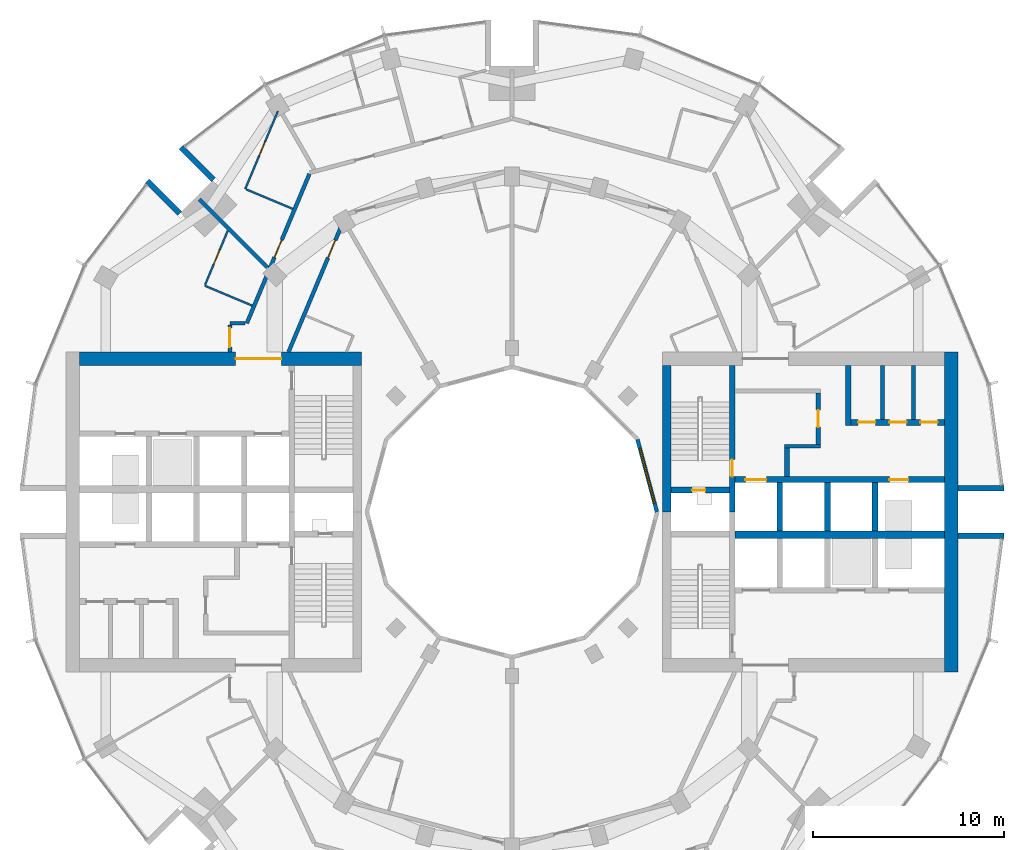
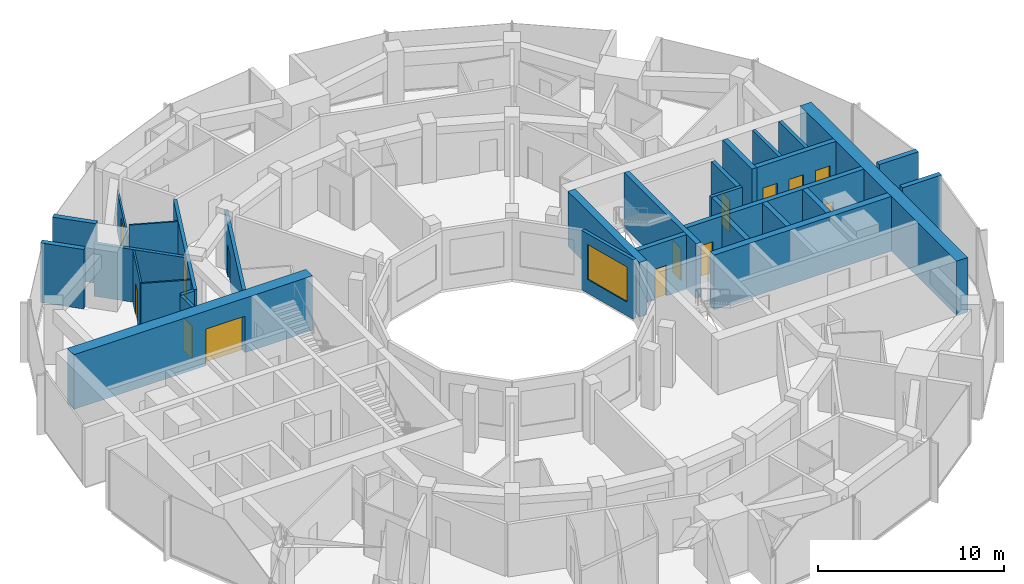
# One storey, part 11 of 15: 31 walls, 14 doors, 1 window, 15 openings.
"""IFC4 building model written with IfcOpenShell, lengths in metres."""

from ifc_helpers import new_model, si_unit, direction, frame, frame_2d, origin, place, context, subcontext, project, spatial, rectangle, extrude, material, layer, layer_set, type_object, element, fill, save


model = new_model("IFC4")

# Units and contexts
model_context = context("Model", 3, precision=1e-05, world=origin(), true_north=direction((0.0, 1.0)))
body_context = subcontext(model_context, "Body", "Model", "MODEL_VIEW")
ifc_project = project(units=[si_unit("LENGTHUNIT", "METRE"), si_unit("AREAUNIT", "SQUARE_METRE"), si_unit("VOLUMEUNIT", "CUBIC_METRE"), si_unit("PLANEANGLEUNIT", "RADIAN"), si_unit("MASSUNIT", "GRAM", prefix="KILO")], contexts=[model_context])

# Site, building, storey
site_placement = place(None, origin())
site = spatial("IfcSite", under=ifc_project, at=site_placement, CompositionType="ELEMENT")
building_placement = place(site_placement, origin())
building = spatial("IfcBuilding", under=site, at=building_placement, Name="Torre Brocal", CompositionType="ELEMENT")
storey_placement = place(building_placement, frame((0.0, 0.0, 126.300048828125)))
storey = spatial("IfcBuildingStorey", under=building, at=storey_placement, Name="L29", CompositionType="ELEMENT", Elevation=126.300048828125)

# Walls
ifc_material_1 = material(Name="Masonry block", Category="masonry")
ifc_layer_1 = layer(ifc_material_1, 0.199951171875)
ifc_layer_set_1 = layer_set([ifc_layer_1], Name="Masonry block")
wall_type_1 = type_object("IfcWallType", Name="CORE PARTITION 200", PredefinedType="PARTITIONING", material=ifc_layer_set_1)
for number, where, z_axis, x_axis, name in (
    (1, (99.433349609375, 79.85009765625, 0.0), (0.0, 0.0, 1.0), (0.0, 1.0, 0.0), "Wall CP200"),
    (2, (101.066650390625, 79.85009765625, 0.0), (0.0, 0.0, 1.0), (0.0, 1.0, 0.0), "Wall CP200"),
):
    element("IfcWall", number, at=place(storey_placement, frame(where, z_axis=z_axis, x_axis=x_axis)), inside=storey, type_object=wall_type_1, Name=name, PredefinedType="PARTITIONING", context=body_context, shape_type="SweptSolid", body=[
        extrude(rectangle(XDim=2.849853515625, YDim=0.199951171875, at=frame_2d((1.4248046875, 0.0))), origin(), (0.0, 0.0, 1.0), 3.579833984375),
    ])
ifc_material_2 = material(Name="Concrete C70", Category="concrete")
ifc_layer_2 = layer(ifc_material_2, 0.199951171875)
ifc_layer_set_2 = layer_set([ifc_layer_2], Name="Concrete C70")
wall_type_2 = type_object("IfcWallType", Name="CORE WALL 200 C70", PredefinedType="SHEAR", material=ifc_layer_set_2)
wall_1_placement = place(storey_placement, frame((94.300048828125, 78.449951171875, 0.0), z_axis=(0.0, 0.0, 1.0), x_axis=(1.0, 0.0, 0.0)))
element("IfcWall", 3, at=wall_1_placement, inside=storey, type_object=wall_type_2, Name="Wall CW200-70", PredefinedType="SHEAR", context=body_context, shape_type="SweptSolid", body=[
    extrude(rectangle(XDim=1.89990234375, YDim=0.199951171875, at=frame_2d((0.949951171875, 0.0))), origin(), (0.0, 0.0, 1.0), 3.579833984375),
])

# Wall, opening, door
ifc_material_3 = material(Name="Concrete C70", Category="concrete")
ifc_layer_3 = layer(ifc_material_3, 0.25)
ifc_layer_set_3 = layer_set([ifc_layer_3], Name="Concrete C70")
wall_type_3 = type_object("IfcWallType", Name="CORE WALL 250 C70", PredefinedType="SHEAR", material=ifc_layer_set_3)
wall_2_placement = place(storey_placement, frame((96.074951171875, 78.550048828125, 0.0), z_axis=(0.0, 0.0, 1.0), x_axis=(0.0, 1.0, 0.0)))
wall_2 = element("IfcWall", 4, at=wall_2_placement, inside=storey, type_object=wall_type_3, Name="Wall CW250-70", PredefinedType="SHEAR", context=body_context, shape_type="SweptSolid", body=[
    extrude(rectangle(XDim=2.699951171875, YDim=0.25, at=frame_2d((1.35009765625, 0.0))), origin(), (0.0, 0.0, 1.0), 3.579833984375),
])
opening_1_placement = place(wall_2_placement, frame((0.89990234375, 0.0, 0.0)))
opening_1 = element("IfcOpeningElement", 5, at=opening_1_placement, cuts=wall_2, Name="Opening E-D15", PredefinedType="OPENING", context=body_context, shape_type="SweptSolid", body=[
    extrude(rectangle(XDim=0.89990234375, YDim=2.10009765625, at=frame_2d((0.449951171875, 1.050048828125))), frame((0.0, 0.135009765625, 0.0), z_axis=(0.0, -1.0, 0.0), x_axis=(1.0, 0.0, 0.0)), (0.0, 0.0, 1.0), 0.27001953125),
])
ifc_material_4 = material(Name="Steel A653", Category="steel")
door_type_1 = type_object("IfcDoorType", Name="LOBBY DOOR FD120 900X2100", OperationType="SINGLE_SWING_RIGHT", PredefinedType="DOOR", material=ifc_material_4)
door_1_placement = place(opening_1_placement, origin())
door_1 = element("IfcDoor", 6, at=door_1_placement, inside=storey, type_object=door_type_1, Name="Door E-D15", OperationType="SINGLE_SWING_LEFT", OverallHeight=2.10009765625, OverallWidth=0.89990234375, PredefinedType="DOOR", context=body_context, shape_type="SweptSolid", body=[
    extrude(rectangle(XDim=0.89990234375, YDim=2.10009765625, at=frame_2d((0.449951171875, 1.050048828125))), frame((0.0, 0.02490234375, 0.0), z_axis=(0.0, -1.0, 0.0), x_axis=(1.0, 0.0, 0.0)), (0.0, 0.0, 1.0), 0.050048828125),
])
fill(opening_1, door_1)

# Wall
wall_3_placement = place(storey_placement, frame((94.425048828125, 76.85009765625, 0.0), z_axis=(0.0, 0.0, 1.0), x_axis=(0.0, 1.0, 0.0)))
element("IfcWall", 7, at=wall_3_placement, inside=storey, type_object=wall_type_3, Name="Wall CW250-70", PredefinedType="SHEAR", context=body_context, shape_type="SweptSolid", body=[
    extrude(rectangle(XDim=1.5, YDim=0.25, at=frame_2d((0.75, 0.0))), origin(), (0.0, 0.0, 1.0), 3.579833984375),
])

# Wall, opening, door
ifc_material_5 = material(Name="Concrete C70", Category="concrete")
ifc_layer_4 = layer(ifc_material_5, 0.300048828125)
ifc_layer_set_4 = layer_set([ifc_layer_4], Name="Concrete C70")
wall_type_4 = type_object("IfcWallType", Name="CORE WALL 300 C70", PredefinedType="SHEAR", material=ifc_layer_set_4)
wall_4_placement = place(storey_placement, frame((91.550048828125, 75.0, 0.0), z_axis=(0.0, 0.0, 1.0), x_axis=(0.0, 1.0, 0.0)))
wall_4 = element("IfcWall", 8, at=wall_4_placement, inside=storey, type_object=wall_type_4, Name="Wall CW300-70", PredefinedType="SHEAR", context=body_context, shape_type="SweptSolid", body=[
    extrude(rectangle(XDim=7.699951171875, YDim=0.300048828125, at=frame_2d((3.85009765625, 0.0))), origin(), (0.0, 0.0, 1.0), 3.579833984375),
])
opening_2_placement = place(wall_4_placement, frame((1.85009765625, 0.0, 0.0)))
opening_2 = element("IfcOpeningElement", 9, at=opening_2_placement, cuts=wall_4, Name="Opening E-D02", PredefinedType="OPENING", context=body_context, shape_type="SweptSolid", body=[
    extrude(rectangle(XDim=0.89990234375, YDim=2.10009765625, at=frame_2d((0.449951171875, 1.050048828125))), frame((0.0, 0.159912109375, 0.0), z_axis=(0.0, -1.0, 0.0), x_axis=(1.0, 0.0, 0.0)), (0.0, 0.0, 1.0), 0.320068359375),
])
ifc_material_6 = material(Name="Steel A653", Category="steel")
door_type_2 = type_object("IfcDoorType", Name="STAIR DOOR FD120 900X2100", OperationType="SINGLE_SWING_RIGHT", PredefinedType="DOOR", material=ifc_material_6)
door_2_placement = place(opening_2_placement, origin())
door_2 = element("IfcDoor", 10, at=door_2_placement, inside=storey, type_object=door_type_2, Name="Door E-D02", OperationType="SINGLE_SWING_LEFT", OverallHeight=2.10009765625, OverallWidth=0.89990234375, PredefinedType="DOOR", context=body_context, shape_type="SweptSolid", body=[
    extrude(rectangle(XDim=0.89990234375, YDim=2.10009765625, at=frame_2d((0.449951171875, 1.050048828125))), frame((0.0, 0.02490234375, 0.0), z_axis=(0.0, -1.0, 0.0), x_axis=(1.0, 0.0, 0.0)), (0.0, 0.0, 1.0), 0.050048828125),
])
fill(opening_2, door_2)

wall_5_placement = place(storey_placement, frame((88.35009765625, 76.14990234375, 0.0), z_axis=(0.0, 0.0, 1.0), x_axis=(1.0, 0.0, 0.0)))
wall_5 = element("IfcWall", 11, at=wall_5_placement, inside=storey, type_object=wall_type_4, Name="Wall CW300-70", PredefinedType="SHEAR", context=body_context, shape_type="SweptSolid", body=[
    extrude(rectangle(XDim=3.0498046875, YDim=0.300048828125, at=frame_2d((1.52490234375, 0.0))), origin(), (0.0, 0.0, 1.0), 3.579833984375),
])
opening_3_placement = place(wall_5_placement, frame((1.10009765625, 0.0, 0.0)))
opening_3 = element("IfcOpeningElement", 12, at=opening_3_placement, cuts=wall_5, Name="Opening E-D01", PredefinedType="OPENING", context=body_context, shape_type="SweptSolid", body=[
    extrude(rectangle(XDim=0.699951171875, YDim=2.0, at=frame_2d((0.35009765625, 1.0))), frame((0.0, 0.159912109375, 0.0), z_axis=(0.0, -1.0, 0.0), x_axis=(1.0, 0.0, 0.0)), (0.0, 0.0, 1.0), 0.320068359375),
])
ifc_material_7 = material(Name="Steel A653", Category="steel")
door_type_3 = type_object("IfcDoorType", Name="RISER DOOR FD120 700X2000", OperationType="SINGLE_SWING_LEFT", PredefinedType="DOOR", material=ifc_material_7)
door_3_placement = place(opening_3_placement, frame((0.699951171875, 0.0, 0.0), z_axis=(0.0, 0.0, 1.0), x_axis=(-1.0, 0.0, 0.0)))
door_3 = element("IfcDoor", 13, at=door_3_placement, inside=storey, type_object=door_type_3, Name="Door E-D01", OperationType="SINGLE_SWING_RIGHT", OverallHeight=2.0, OverallWidth=0.699951171875, PredefinedType="DOOR", context=body_context, shape_type="SweptSolid", body=[
    extrude(rectangle(XDim=0.699951171875, YDim=2.0, at=frame_2d((0.35009765625, 1.0))), frame((0.0, 0.02490234375, 0.0), z_axis=(0.0, -1.0, 0.0), x_axis=(1.0, 0.0, 0.0)), (0.0, 0.0, 1.0), 0.050048828125),
])
fill(opening_3, door_3)

# Wall, openings, doors
wall_6_placement = place(storey_placement, frame((91.699951171875, 76.699951171875, 0.0), z_axis=(0.0, 0.0, 1.0), x_axis=(1.0, 0.0, 0.0)))
wall_6 = element("IfcWall", 14, at=wall_6_placement, inside=storey, type_object=wall_type_4, Name="Wall CW300-70", PredefinedType="SHEAR", context=body_context, shape_type="SweptSolid", body=[
    extrude(rectangle(XDim=11.0, YDim=0.300048828125, at=frame_2d((5.5, 0.0))), origin(), (0.0, 0.0, 1.0), 3.579833984375),
])
opening_4_placement = place(wall_6_placement, frame((0.550048828125, 0.0, 0.0)))
opening_4 = element("IfcOpeningElement", 15, at=opening_4_placement, cuts=wall_6, Name="Opening LD", PredefinedType="OPENING", context=body_context, shape_type="SweptSolid", body=[
    extrude(rectangle(XDim=1.10009765625, YDim=2.10009765625, at=frame_2d((0.550048828125, 1.050048828125))), frame((0.0, 0.159912109375, 0.0), z_axis=(0.0, -1.0, 0.0), x_axis=(1.0, 0.0, 0.0)), (0.0, 0.0, 1.0), 0.320068359375),
])
opening_5_placement = place(wall_6_placement, frame((8.10009765625, 0.0, 0.0)))
opening_5 = element("IfcOpeningElement", 16, at=opening_5_placement, cuts=wall_6, Name="Opening LD10", PredefinedType="OPENING", context=body_context, shape_type="SweptSolid", body=[
    extrude(rectangle(XDim=1.0, YDim=2.10009765625, at=frame_2d((0.5, 1.050048828125))), frame((0.0, 0.159912109375, 0.0), z_axis=(0.0, -1.0, 0.0), x_axis=(1.0, 0.0, 0.0)), (0.0, 0.0, 1.0), 0.320068359375),
])
ifc_material_8 = material(Name="Stainless steel AISI 316", Category="steel")
door_type_4 = type_object("IfcDoorType", Name="LIFT LANDING DOOR 1000X2100", OperationType="DOUBLE_DOOR_SLIDING", PredefinedType="DOOR", material=ifc_material_8)
door_4_placement = place(opening_5_placement, origin())
door_4 = element("IfcDoor", 17, at=door_4_placement, inside=storey, type_object=door_type_4, Name="Door LD10", OperationType="DOUBLE_DOOR_SLIDING", OverallHeight=2.10009765625, OverallWidth=1.0, PredefinedType="DOOR", context=body_context, shape_type="SweptSolid", body=[
    extrude(rectangle(XDim=1.0, YDim=2.10009765625, at=frame_2d((0.5, 1.050048828125))), frame((0.0, 0.02490234375, 0.0), z_axis=(0.0, -1.0, 0.0), x_axis=(1.0, 0.0, 0.0)), (0.0, 0.0, 1.0), 0.050048828125),
])
fill(opening_5, door_4)
ifc_material_9 = material(Name="Stainless steel AISI 316", Category="steel")
door_type_5 = type_object("IfcDoorType", Name="LIFT LANDING DOOR 1100X2100", OperationType="DOUBLE_DOOR_SLIDING", PredefinedType="DOOR", material=ifc_material_9)
door_5_placement = place(opening_4_placement, origin())
door_5 = element("IfcDoor", 18, at=door_5_placement, inside=storey, type_object=door_type_5, Name="Door LD", OperationType="DOUBLE_DOOR_SLIDING", OverallHeight=2.10009765625, OverallWidth=1.10009765625, PredefinedType="DOOR", context=body_context, shape_type="SweptSolid", body=[
    extrude(rectangle(XDim=1.10009765625, YDim=2.10009765625, at=frame_2d((0.550048828125, 1.050048828125))), frame((0.0, 0.02490234375, 0.0), z_axis=(0.0, -1.0, 0.0), x_axis=(1.0, 0.0, 0.0)), (0.0, 0.0, 1.0), 0.050048828125),
])
fill(opening_4, door_5)

# Walls
for number, where, z_axis, x_axis, name in (
    (19, (94.050048828125, 74.0, 0.0), (0.0, 0.0, 1.0), (0.0, 1.0, 0.0), "Wall CW300-70"),
    (20, (96.550048828125, 74.0, 0.0), (0.0, 0.0, 1.0), (0.0, 1.0, 0.0), "Wall CW300-70"),
    (21, (99.050048828125, 74.0, 0.0), (0.0, 0.0, 1.0), (0.0, 1.0, 0.0), "Wall CW300-70"),
):
    element("IfcWall", number, at=place(storey_placement, frame(where, z_axis=z_axis, x_axis=x_axis)), inside=storey, type_object=wall_type_4, Name=name, PredefinedType="SHEAR", context=body_context, shape_type="SweptSolid", body=[
        extrude(rectangle(XDim=2.550048828125, YDim=0.300048828125, at=frame_2d((1.27490234375, 0.0))), origin(), (0.0, 0.0, 1.0), 3.579833984375),
    ])
wall_7_placement = place(storey_placement, frame((97.64990234375, 79.550048828125, 0.0), z_axis=(0.0, 0.0, 1.0), x_axis=(0.0, 1.0, 0.0)))
element("IfcWall", 22, at=wall_7_placement, inside=storey, type_object=wall_type_4, Name="Wall CW300-70", PredefinedType="SHEAR", context=body_context, shape_type="SweptSolid", body=[
    extrude(rectangle(XDim=3.14990234375, YDim=0.300048828125, at=frame_2d((1.574951171875, 0.0))), origin(), (0.0, 0.0, 1.0), 3.579833984375),
])

# Wall, openings, doors
wall_8_placement = place(storey_placement, frame((97.800048828125, 79.699951171875, 0.0), z_axis=(0.0, 0.0, 1.0), x_axis=(1.0, 0.0, 0.0)))
wall_8 = element("IfcWall", 23, at=wall_8_placement, inside=storey, type_object=wall_type_4, Name="Wall CW300-70", PredefinedType="SHEAR", context=body_context, shape_type="SweptSolid", body=[
    extrude(rectangle(XDim=4.89990234375, YDim=0.300048828125, at=frame_2d((2.449951171875, 0.0))), origin(), (0.0, 0.0, 1.0), 3.579833984375),
])
opening_6_placement = place(wall_8_placement, frame((0.36669921875, 0.0, 0.0)))
opening_6 = element("IfcOpeningElement", 24, at=opening_6_placement, cuts=wall_8, Name="Opening E-D05", PredefinedType="OPENING", context=body_context, shape_type="SweptSolid", body=[
    extrude(rectangle(XDim=0.89990234375, YDim=2.10009765625, at=frame_2d((0.449951171875, 1.050048828125))), frame((0.0, 0.159912109375, 0.0), z_axis=(0.0, -1.0, 0.0), x_axis=(1.0, 0.0, 0.0)), (0.0, 0.0, 1.0), 0.320068359375),
])
opening_7_placement = place(wall_8_placement, frame((2.0, 0.0, 0.0)))
opening_7 = element("IfcOpeningElement", 25, at=opening_7_placement, cuts=wall_8, Name="Opening E-D06", PredefinedType="OPENING", context=body_context, shape_type="SweptSolid", body=[
    extrude(rectangle(XDim=0.89990234375, YDim=2.10009765625, at=frame_2d((0.449951171875, 1.050048828125))), frame((0.0, 0.159912109375, 0.0), z_axis=(0.0, -1.0, 0.0), x_axis=(1.0, 0.0, 0.0)), (0.0, 0.0, 1.0), 0.320068359375),
])
opening_8_placement = place(wall_8_placement, frame((3.63330078125, 0.0, 0.0)))
opening_8 = element("IfcOpeningElement", 26, at=opening_8_placement, cuts=wall_8, Name="Opening E-D07", PredefinedType="OPENING", context=body_context, shape_type="SweptSolid", body=[
    extrude(rectangle(XDim=0.89990234375, YDim=2.10009765625, at=frame_2d((0.449951171875, 1.050048828125))), frame((0.0, 0.159912109375, 0.0), z_axis=(0.0, -1.0, 0.0), x_axis=(1.0, 0.0, 0.0)), (0.0, 0.0, 1.0), 0.320068359375),
])
ifc_material_10 = material(Name="Steel A653", Category="steel")
door_type_6 = type_object("IfcDoorType", Name="ROOM DOOR FD30S 900X2100", OperationType="SINGLE_SWING_LEFT", PredefinedType="DOOR", material=ifc_material_10)
door_6_placement = place(opening_6_placement, origin())
door_6 = element("IfcDoor", 27, at=door_6_placement, inside=storey, type_object=door_type_6, Name="Door E-D05", OperationType="SINGLE_SWING_RIGHT", OverallHeight=2.10009765625, OverallWidth=0.89990234375, PredefinedType="DOOR", context=body_context, shape_type="SweptSolid", body=[
    extrude(rectangle(XDim=0.89990234375, YDim=2.10009765625, at=frame_2d((0.449951171875, 1.050048828125))), frame((0.0, 0.02490234375, 0.0), z_axis=(0.0, -1.0, 0.0), x_axis=(1.0, 0.0, 0.0)), (0.0, 0.0, 1.0), 0.050048828125),
])
fill(opening_6, door_6)
door_7_placement = place(opening_7_placement, origin())
door_7 = element("IfcDoor", 28, at=door_7_placement, inside=storey, type_object=door_type_6, Name="Door E-D06", OperationType="SINGLE_SWING_LEFT", OverallHeight=2.10009765625, OverallWidth=0.89990234375, PredefinedType="DOOR", context=body_context, shape_type="SweptSolid", body=[
    extrude(rectangle(XDim=0.89990234375, YDim=2.10009765625, at=frame_2d((0.449951171875, 1.050048828125))), frame((0.0, 0.02490234375, 0.0), z_axis=(0.0, -1.0, 0.0), x_axis=(1.0, 0.0, 0.0)), (0.0, 0.0, 1.0), 0.050048828125),
])
fill(opening_7, door_7)
door_8_placement = place(opening_8_placement, origin())
door_8 = element("IfcDoor", 29, at=door_8_placement, inside=storey, type_object=door_type_6, Name="Door E-D07", OperationType="SINGLE_SWING_LEFT", OverallHeight=2.10009765625, OverallWidth=0.89990234375, PredefinedType="DOOR", context=body_context, shape_type="SweptSolid", body=[
    extrude(rectangle(XDim=0.89990234375, YDim=2.10009765625, at=frame_2d((0.449951171875, 1.050048828125))), frame((0.0, 0.02490234375, 0.0), z_axis=(0.0, -1.0, 0.0), x_axis=(1.0, 0.0, 0.0)), (0.0, 0.0, 1.0), 0.050048828125),
])
fill(opening_8, door_8)

# Walls
ifc_material_11 = material(Name="Concrete C70", Category="concrete")
ifc_layer_5 = layer(ifc_material_11, 0.39990234375)
ifc_layer_set_5 = layer_set([ifc_layer_5], Name="Concrete C70")
wall_type_5 = type_object("IfcWallType", Name="CORE WALL 400 C70", PredefinedType="SHEAR", material=ifc_layer_set_5)
wall_9_placement = place(storey_placement, frame((91.699951171875, 73.800048828125, 0.0), z_axis=(0.0, 0.0, 1.0), x_axis=(1.0, 0.0, 0.0)))
element("IfcWall", 30, at=wall_9_placement, inside=storey, type_object=wall_type_5, Name="Wall CW400-70", PredefinedType="SHEAR", context=body_context, shape_type="SweptSolid", body=[
    extrude(rectangle(XDim=11.0, YDim=0.39990234375, at=frame_2d((5.5, 0.0))), origin(), (0.0, 0.0, 1.0), 3.579833984375),
])
ifc_material_12 = material(Name="Concrete C70", Category="concrete")
ifc_layer_6 = layer(ifc_material_12, 0.449951171875)
ifc_layer_set_6 = layer_set([ifc_layer_6], Name="Concrete C70")
wall_type_6 = type_object("IfcWallType", Name="CORE WALL 450 C70", PredefinedType="SHEAR", material=ifc_layer_set_6)
wall_10_placement = place(storey_placement, frame((88.125, 75.0, 0.0), z_axis=(0.0, 0.0, 1.0), x_axis=(0.0, 1.0, 0.0)))
element("IfcWall", 31, at=wall_10_placement, inside=storey, type_object=wall_type_6, Name="Wall CW450-70", PredefinedType="SHEAR", context=body_context, shape_type="SweptSolid", body=[
    extrude(rectangle(XDim=7.699951171875, YDim=0.449951171875, at=frame_2d((3.85009765625, 0.0))), origin(), (0.0, 0.0, 1.0), 3.579833984375),
])
ifc_material_13 = material(Name="Concrete C70", Category="concrete")
ifc_layer_7 = layer(ifc_material_13, 0.699951171875)
ifc_layer_set_7 = layer_set([ifc_layer_7], Name="Concrete C70")
wall_type_7 = type_object("IfcWallType", Name="CORE WALL 700 C70", PredefinedType="SHEAR", material=ifc_layer_set_7)
wall_11_placement = place(storey_placement, frame((103.050048828125, 66.60009765625, 0.0), z_axis=(0.0, 0.0, 1.0), x_axis=(0.0, 1.0, 0.0)))
element("IfcWall", 32, at=wall_11_placement, inside=storey, type_object=wall_type_7, Name="Wall CW700-70", PredefinedType="SHEAR", context=body_context, shape_type="SweptSolid", body=[
    extrude(rectangle(XDim=16.7998046875, YDim=0.699951171875, at=frame_2d((8.39990234375, 0.0))), origin(), (0.0, 0.0, 1.0), 3.579833984375),
])

# Wall, opening, door
wall_12_placement = place(storey_placement, frame((72.10009765625, 83.050048828125, 0.0), z_axis=(0.0, 0.0, 1.0), x_axis=(-1.0, 0.0, 0.0)))
wall_12 = element("IfcWall", 33, at=wall_12_placement, inside=storey, type_object=wall_type_7, Name="Wall CW700-70", PredefinedType="SHEAR", context=body_context, shape_type="SweptSolid", body=[
    extrude(rectangle(XDim=14.800048828125, YDim=0.699951171875, at=frame_2d((7.39990234375, 0.0))), origin(), (0.0, 0.0, 1.0), 3.579833984375),
])
opening_9_placement = place(wall_12_placement, frame((4.199951171875, 0.0, 0.0)))
opening_9 = element("IfcOpeningElement", 34, at=opening_9_placement, cuts=wall_12, Name="Opening W-D30", PredefinedType="OPENING", context=body_context, shape_type="SweptSolid", body=[
    extrude(rectangle(XDim=2.39990234375, YDim=2.39990234375, at=frame_2d((1.199951171875, 1.199951171875))), frame((0.0, 0.35986328125, 0.0), z_axis=(0.0, -1.0, 0.0), x_axis=(1.0, 0.0, 0.0)), (0.0, 0.0, 1.0), 0.719970703125),
])
ifc_material_14 = material(Name="Steel A653", Category="steel")
door_type_7 = type_object("IfcDoorType", Name="DOUBLE FIRE DOOR FD90 2400X2400", OperationType="DOUBLE_DOOR_SINGLE_SWING", PredefinedType="DOOR", material=ifc_material_14)
door_9_placement = place(opening_9_placement, origin())
door_9 = element("IfcDoor", 35, at=door_9_placement, inside=storey, type_object=door_type_7, Name="Door W-D30", OperationType="DOUBLE_DOOR_SINGLE_SWING", OverallHeight=2.39990234375, OverallWidth=2.39990234375, PredefinedType="DOOR", context=body_context, shape_type="SweptSolid", body=[
    extrude(rectangle(XDim=2.39990234375, YDim=2.39990234375, at=frame_2d((1.199951171875, 1.199951171875))), frame((0.0, 0.02490234375, 0.0), z_axis=(0.0, -1.0, 0.0), x_axis=(1.0, 0.0, 0.0)), (0.0, 0.0, 1.0), 0.050048828125),
])
fill(opening_9, door_9)

# Walls
ifc_material_15 = material(Name="Concrete C70", Category="concrete")
ifc_layer_8 = layer(ifc_material_15, 0.300048828125)
ifc_layer_set_8 = layer_set([ifc_layer_8], Name="Concrete C70")
wall_type_8 = type_object("IfcWallType", Name="NOTCH RETURN WALL 300 C70", PredefinedType="NOTDEFINED", material=ifc_layer_set_8)
for number, where, z_axis, x_axis, name in (
    (36, (103.39990234375, 73.75, 0.0), (0.0, 0.0, 1.0), (1.0, 0.0, 0.0), "NOTCH RETURN WALL"),
    (37, (103.39990234375, 76.25, 0.0), (0.0, 0.0, 1.0), (1.0, 0.0, 0.0), "NOTCH RETURN WALL"),
    (38, (64.337646484375, 92.43017578125, 0.0), (0.0, 0.0, 1.0), (-0.707106781187, 0.707106781187, 0.0), "NOTCH RETURN WALL"),
    (39, (62.56982421875, 90.662353515625, 0.0), (0.0, 0.0, 1.0), (-0.707106781187, 0.707106781187, 0.0), "NOTCH RETURN WALL"),
):
    element("IfcWall", number, at=place(storey_placement, frame(where, z_axis=z_axis, x_axis=x_axis)), inside=storey, type_object=wall_type_8, Name=name, PredefinedType="NOTDEFINED", context=body_context, shape_type="SweptSolid", body=[
        extrude(rectangle(XDim=2.415771484375, YDim=0.300048828125, at=frame_2d((1.2080078125, 0.0))), origin(), (0.0, 0.0, 1.0), 3.89990234375),
    ])

# Wall, opening, door
ifc_material_16 = material(Name="Gypsum board", Category="Gypsum")
ifc_layer_9 = layer(ifc_material_16, 0.10009765625)
ifc_layer_set_9 = layer_set([ifc_layer_9], Name="Gypsum board")
wall_type_9 = type_object("IfcWallType", Name="PARTITION 100", PredefinedType="PARTITIONING", material=ifc_layer_set_9)
wall_13_placement = place(storey_placement, frame((63.8955078125, 86.92041015625, 0.0), z_axis=(0.0, 0.0, 1.0), x_axis=(0.386637413037, 0.922231809709, 0.0)))
wall_13 = element("IfcWall", 40, at=wall_13_placement, inside=storey, type_object=wall_type_9, Name="BATHROOM WALL", PredefinedType="PARTITIONING", context=body_context, shape_type="SweptSolid", body=[
    extrude(rectangle(XDim=3.076416015625, YDim=0.10009765625, at=frame_2d((1.5380859375, 0.0))), origin(), (0.0, 0.0, 1.0), 3.449951171875),
])
opening_10_placement = place(wall_13_placement, frame((1.173095703125, 0.0, 0.0)))
opening_10 = element("IfcOpeningElement", 41, at=opening_10_placement, cuts=wall_13, Name="Opening E02-D16", PredefinedType="OPENING", context=body_context, shape_type="SweptSolid", body=[
    extrude(rectangle(XDim=0.800048828125, YDim=2.10009765625, at=frame_2d((0.39990234375, 1.050048828125))), frame((0.0, 0.06005859375, 0.0), z_axis=(0.0, -1.0, 0.0), x_axis=(1.0, 0.0, 0.0)), (0.0, 0.0, 1.0), 0.1201171875),
])
ifc_material_17 = material(Name="Timber", Category="wood")
door_type_8 = type_object("IfcDoorType", Name="BATHROOM DOOR 800X2100", OperationType="SINGLE_SWING_LEFT", PredefinedType="DOOR", material=ifc_material_17)
door_10_placement = place(opening_10_placement, frame((0.800048828125, 0.0, 0.0), z_axis=(0.0, 0.0, 1.0), x_axis=(-1.0, 0.0, 0.0)))
door_10 = element("IfcDoor", 42, at=door_10_placement, inside=storey, type_object=door_type_8, Name="E02-D16", OperationType="SINGLE_SWING_LEFT", OverallHeight=2.10009765625, OverallWidth=0.800048828125, PredefinedType="DOOR", context=body_context, shape_type="SweptSolid", body=[
    extrude(rectangle(XDim=0.800048828125, YDim=2.10009765625, at=frame_2d((0.39990234375, 1.050048828125))), frame((0.0, 0.02490234375, 0.0), z_axis=(0.0, -1.0, 0.0), x_axis=(1.0, 0.0, 0.0)), (0.0, 0.0, 1.0), 0.050048828125),
])
fill(opening_10, door_10)

# Walls
wall_14_placement = place(storey_placement, frame((63.876953125, 86.8740234375, 0.0), z_axis=(0.0, 0.0, 1.0), x_axis=(0.92214860299, -0.386835823062, 0.0)))
element("IfcWall", 43, at=wall_14_placement, inside=storey, type_object=wall_type_9, Name="BATHROOM WALL", PredefinedType="PARTITIONING", context=body_context, shape_type="SweptSolid", body=[
    extrude(rectangle(XDim=2.699951171875, YDim=0.10009765625, at=frame_2d((1.35009765625, 0.0))), origin(), (0.0, 0.0, 1.0), 3.449951171875),
])
wall_15_placement = place(storey_placement, frame((66.049072265625, 91.9306640625, 0.0), z_axis=(0.0, 0.0, 1.0), x_axis=(0.922344808264, -0.38636777126, 0.0)))
element("IfcWall", 44, at=wall_15_placement, inside=storey, type_object=wall_type_9, Name="BATHROOM WALL", PredefinedType="PARTITIONING", context=body_context, shape_type="SweptSolid", body=[
    extrude(rectangle(XDim=2.650146484375, YDim=0.10009765625, at=frame_2d((1.3251953125, 0.0))), origin(), (0.0, 0.0, 1.0), 3.449951171875),
])

# Wall, opening, door
ifc_material_18 = material(Name="Gypsum board", Category="Gypsum")
ifc_layer_10 = layer(ifc_material_18, 0.10009765625)
ifc_layer_set_10 = layer_set([ifc_layer_10], Name="Gypsum board")
wall_type_10 = type_object("IfcWallType", Name="PARTITION 100 UNDER BEAM 1220", PredefinedType="PARTITIONING", material=ifc_layer_set_10)
wall_16_placement = place(storey_placement, frame((66.003662109375, 91.94970703125, 0.0), z_axis=(0.0, 0.0, 1.0), x_axis=(0.386601257709, 0.922246966673, 0.0)))
wall_16 = element("IfcWall", 45, at=wall_16_placement, inside=storey, type_object=wall_type_10, Name="BATHROOM WALL", PredefinedType="PARTITIONING", context=body_context, shape_type="SweptSolid", body=[
    extrude(rectangle(XDim=4.4326171875, YDim=0.10009765625, at=frame_2d((2.21630859375, 0.0))), origin(), (0.0, 0.0, 1.0), 2.679931640625),
])
opening_11_placement = place(wall_16_placement, frame((1.891357421875, 0.0, 0.0)))
opening_11 = element("IfcOpeningElement", 46, at=opening_11_placement, cuts=wall_16, Name="Opening E02-D14", PredefinedType="OPENING", context=body_context, shape_type="SweptSolid", body=[
    extrude(rectangle(XDim=0.800048828125, YDim=2.10009765625, at=frame_2d((0.39990234375, 1.050048828125))), frame((0.0, 0.06005859375, 0.0), z_axis=(0.0, -1.0, 0.0), x_axis=(1.0, 0.0, 0.0)), (0.0, 0.0, 1.0), 0.1201171875),
])
door_11_placement = place(opening_11_placement, frame((0.800048828125, 0.0, 0.0), z_axis=(0.0, 0.0, 1.0), x_axis=(-1.0, 0.0, 0.0)))
door_11 = element("IfcDoor", 47, at=door_11_placement, inside=storey, type_object=door_type_8, Name="E02-D14", OperationType="SINGLE_SWING_LEFT", OverallHeight=2.10009765625, OverallWidth=0.800048828125, PredefinedType="DOOR", context=body_context, shape_type="SweptSolid", body=[
    extrude(rectangle(XDim=0.800048828125, YDim=2.10009765625, at=frame_2d((0.39990234375, 1.050048828125))), frame((0.0, 0.02490234375, 0.0), z_axis=(0.0, -1.0, 0.0), x_axis=(1.0, 0.0, 0.0)), (0.0, 0.0, 1.0), 0.050048828125),
])
fill(opening_11, door_11)

# Wall
ifc_material_19 = material(Name="Gypsum board", Category="Gypsum")
ifc_layer_11 = layer(ifc_material_19, 0.199951171875)
ifc_layer_set_11 = layer_set([ifc_layer_11], Name="Gypsum board")
wall_type_11 = type_object("IfcWallType", Name="PARTITION 200 EI60", PredefinedType="PARTITIONING", material=ifc_layer_set_11)
wall_17_placement = place(storey_placement, frame((63.599609375, 91.4091796875, 0.0), z_axis=(0.0, 0.0, 1.0), x_axis=(0.706937509868, -0.707276011993, 0.0)))
element("IfcWall", 48, at=wall_17_placement, inside=storey, type_object=wall_type_11, Name="BATHROOM WALL", PredefinedType="PARTITIONING", context=body_context, shape_type="SweptSolid", body=[
    extrude(rectangle(XDim=5.048583984375, YDim=0.199951171875, at=frame_2d((2.5244140625, 0.0))), origin(), (0.0, 0.0, 1.0), 3.449951171875),
])

# Wall, opening, door
wall_18_placement = place(storey_placement, frame((65.199951171875, 83.40087890625, 0.0), z_axis=(0.0, 0.0, 1.0), x_axis=(0.0, 1.0, 0.0)))
wall_18 = element("IfcWall", 49, at=wall_18_placement, inside=storey, type_object=wall_type_11, Name="GUESTROOM CORRIDOR WALL", PredefinedType="PARTITIONING", context=body_context, shape_type="SweptSolid", body=[
    extrude(rectangle(XDim=1.399169921875, YDim=0.199951171875, at=frame_2d((0.69970703125, 0.0))), origin(), (0.0, 0.0, 1.0), 3.449951171875),
])
opening_12_placement = place(wall_18_placement, frame((0.2490234375, 0.0, 0.0)))
opening_12 = element("IfcOpeningElement", 50, at=opening_12_placement, cuts=wall_18, Name="Opening E02-D15", PredefinedType="OPENING", context=body_context, shape_type="SweptSolid", body=[
    extrude(rectangle(XDim=1.0, YDim=2.10009765625, at=frame_2d((0.5, 1.050048828125))), frame((0.0, 0.10986328125, 0.0), z_axis=(0.0, -1.0, 0.0), x_axis=(1.0, 0.0, 0.0)), (0.0, 0.0, 1.0), 0.219970703125),
])
ifc_material_20 = material(Name="Timber", Category="wood")
door_type_9 = type_object("IfcDoorType", Name="FLAT ENTRY DOOR FD30S 1000X2100", OperationType="SINGLE_SWING_RIGHT", PredefinedType="DOOR", material=ifc_material_20)
door_12_placement = place(opening_12_placement, origin())
door_12 = element("IfcDoor", 51, at=door_12_placement, inside=storey, type_object=door_type_9, Name="E02-D15", OperationType="SINGLE_SWING_LEFT", OverallHeight=2.10009765625, OverallWidth=1.0, PredefinedType="DOOR", context=body_context, shape_type="SweptSolid", body=[
    extrude(rectangle(XDim=1.0, YDim=2.10009765625, at=frame_2d((0.5, 1.050048828125))), frame((0.0, 0.02490234375, 0.0), z_axis=(0.0, -1.0, 0.0), x_axis=(1.0, 0.0, 0.0)), (0.0, 0.0, 1.0), 0.050048828125),
])
fill(opening_12, door_12)

# Wall
wall_19_placement = place(storey_placement, frame((65.199951171875, 84.89990234375, 0.0), z_axis=(0.0, 0.0, 1.0), x_axis=(1.0, 0.0, 0.0)))
element("IfcWall", 52, at=wall_19_placement, inside=storey, type_object=wall_type_11, Name="GUESTROOM CORRIDOR WALL", PredefinedType="PARTITIONING", context=body_context, shape_type="SweptSolid", body=[
    extrude(rectangle(XDim=0.795166015625, YDim=0.199951171875, at=frame_2d((0.3974609375, 0.0))), origin(), (0.0, 0.0, 1.0), 3.449951171875),
])

# Wall, opening, door
wall_20_placement = place(storey_placement, frame((66.085205078125, 84.900390625, 0.0), z_axis=(0.0, 0.0, 1.0), x_axis=(0.386617151403, 0.922240303956, 0.0)))
wall_20 = element("IfcWall", 53, at=wall_20_placement, inside=storey, type_object=wall_type_11, Name="GUESTROOM CORRIDOR WALL", PredefinedType="PARTITIONING", context=body_context, shape_type="SweptSolid", body=[
    extrude(rectangle(XDim=8.500244140625, YDim=0.199951171875, at=frame_2d((4.25, 0.0))), origin(), (0.0, 0.0, 1.0), 3.449951171875),
])
opening_13_placement = place(wall_20_placement, frame((3.74755859375, 0.0, 0.0)))
opening_13 = element("IfcOpeningElement", 54, at=opening_13_placement, cuts=wall_20, Name="Opening E02-D13", PredefinedType="OPENING", context=body_context, shape_type="SweptSolid", body=[
    extrude(rectangle(XDim=1.0, YDim=2.10009765625, at=frame_2d((0.5, 1.050048828125))), frame((0.0, 0.10986328125, 0.0), z_axis=(0.0, -1.0, 0.0), x_axis=(1.0, 0.0, 0.0)), (0.0, 0.0, 1.0), 0.219970703125),
])
door_13_placement = place(opening_13_placement, origin())
door_13 = element("IfcDoor", 55, at=door_13_placement, inside=storey, type_object=door_type_9, Name="E02-D13", OperationType="SINGLE_SWING_LEFT", OverallHeight=2.10009765625, OverallWidth=1.0, PredefinedType="DOOR", context=body_context, shape_type="SweptSolid", body=[
    extrude(rectangle(XDim=1.0, YDim=2.10009765625, at=frame_2d((0.5, 1.050048828125))), frame((0.0, 0.02490234375, 0.0), z_axis=(0.0, -1.0, 0.0), x_axis=(1.0, 0.0, 0.0)), (0.0, 0.0, 1.0), 0.050048828125),
])
fill(opening_13, door_13)

wall_21_placement = place(storey_placement, frame((68.276611328125, 83.400146484375, 0.0), z_axis=(0.0, 0.0, 1.0), x_axis=(0.386454861164, 0.922308321703, 0.0)))
wall_21 = element("IfcWall", 56, at=wall_21_placement, inside=storey, type_object=wall_type_11, Name="GUESTROOM CORRIDOR WALL", PredefinedType="PARTITIONING", context=body_context, shape_type="SweptSolid", body=[
    extrude(rectangle(XDim=7.76220703125, YDim=0.199951171875, at=frame_2d((3.881103515625, 0.0))), origin(), (0.0, 0.0, 1.0), 3.449951171875),
])
opening_14_placement = place(wall_21_placement, frame((5.3505859375, 0.0, 0.0)))
opening_14 = element("IfcOpeningElement", 57, at=opening_14_placement, cuts=wall_21, Name="Opening E02-D23", PredefinedType="OPENING", context=body_context, shape_type="SweptSolid", body=[
    extrude(rectangle(XDim=1.0, YDim=2.10009765625, at=frame_2d((0.5, 1.050048828125))), frame((0.0, 0.10986328125, 0.0), z_axis=(0.0, -1.0, 0.0), x_axis=(1.0, 0.0, 0.0)), (0.0, 0.0, 1.0), 0.219970703125),
])
door_14_placement = place(opening_14_placement, frame((1.0, 0.0, 0.0), z_axis=(0.0, 0.0, 1.0), x_axis=(-1.0, 0.0, 0.0)))
door_14 = element("IfcDoor", 58, at=door_14_placement, inside=storey, type_object=door_type_9, Name="E02-D23", OperationType="SINGLE_SWING_LEFT", OverallHeight=2.10009765625, OverallWidth=1.0, PredefinedType="DOOR", context=body_context, shape_type="SweptSolid", body=[
    extrude(rectangle(XDim=1.0, YDim=2.10009765625, at=frame_2d((0.5, 1.050048828125))), frame((0.0, 0.02490234375, 0.0), z_axis=(0.0, -1.0, 0.0), x_axis=(1.0, 0.0, 0.0)), (0.0, 0.0, 1.0), 0.050048828125),
])
fill(opening_14, door_14)

# Wall, opening, window
ifc_material_21 = material(Name="Concrete C40", Category="concrete")
ifc_layer_12 = layer(ifc_material_21, 0.199951171875)
ifc_layer_set_12 = layer_set([ifc_layer_12], Name="Concrete C40")
wall_type_12 = type_object("IfcWallType", Name="WELL FACADE WALL 200", PredefinedType="NOTDEFINED", material=ifc_layer_set_12)
wall_22_placement = place(storey_placement, frame((87.603515625, 75.0, 0.0), z_axis=(0.0, 0.0, 1.0), x_axis=(-0.258789828301, 0.965933654434, 0.0)))
wall_22 = element("IfcWall", 59, at=wall_22_placement, inside=storey, type_object=wall_type_12, Name="WELL FACADE WALL", PredefinedType="NOTDEFINED", context=body_context, shape_type="SweptSolid", body=[
    extrude(rectangle(XDim=3.935791015625, YDim=0.199951171875, at=frame_2d((1.9677734375, 0.0))), origin(), (0.0, 0.0, 1.0), 3.89990234375),
])
opening_15_placement = place(wall_22_placement, frame((0.468017578125, 0.0, 0.89990234375)))
opening_15 = element("IfcOpeningElement", 60, at=opening_15_placement, cuts=wall_22, Name="Opening W1", PredefinedType="OPENING", context=body_context, shape_type="SweptSolid", body=[
    extrude(rectangle(XDim=3.0, YDim=2.300048828125, at=frame_2d((1.5, 1.14990234375))), frame((0.0, 0.10986328125, 0.0), z_axis=(0.0, -1.0, 0.0), x_axis=(1.0, 0.0, 0.0)), (0.0, 0.0, 1.0), 0.219970703125),
])
ifc_material_22 = material(Name="Aluminium and glass", Category="aluminium")
window_type = type_object("IfcWindowType", Name="WELL WINDOW 3000X2300", PartitioningType="SINGLE_PANEL", PredefinedType="WINDOW", material=ifc_material_22)
window_placement = place(opening_15_placement, origin())
window = element("IfcWindow", 61, at=window_placement, inside=storey, type_object=window_type, Name="WELL WINDOW 3000X2300", OverallHeight=2.300048828125, OverallWidth=3.0, PartitioningType="SINGLE_PANEL", PredefinedType="WINDOW", context=body_context, shape_type="SweptSolid", body=[
    extrude(rectangle(XDim=3.0, YDim=2.300048828125, at=frame_2d((1.5, 1.14990234375))), frame((0.0, 0.030029296875, 0.0), z_axis=(0.0, -1.0, 0.0), x_axis=(1.0, 0.0, 0.0)), (0.0, 0.0, 1.0), 0.06005859375),
])
fill(opening_15, window)

save(model, "model.ifc")
